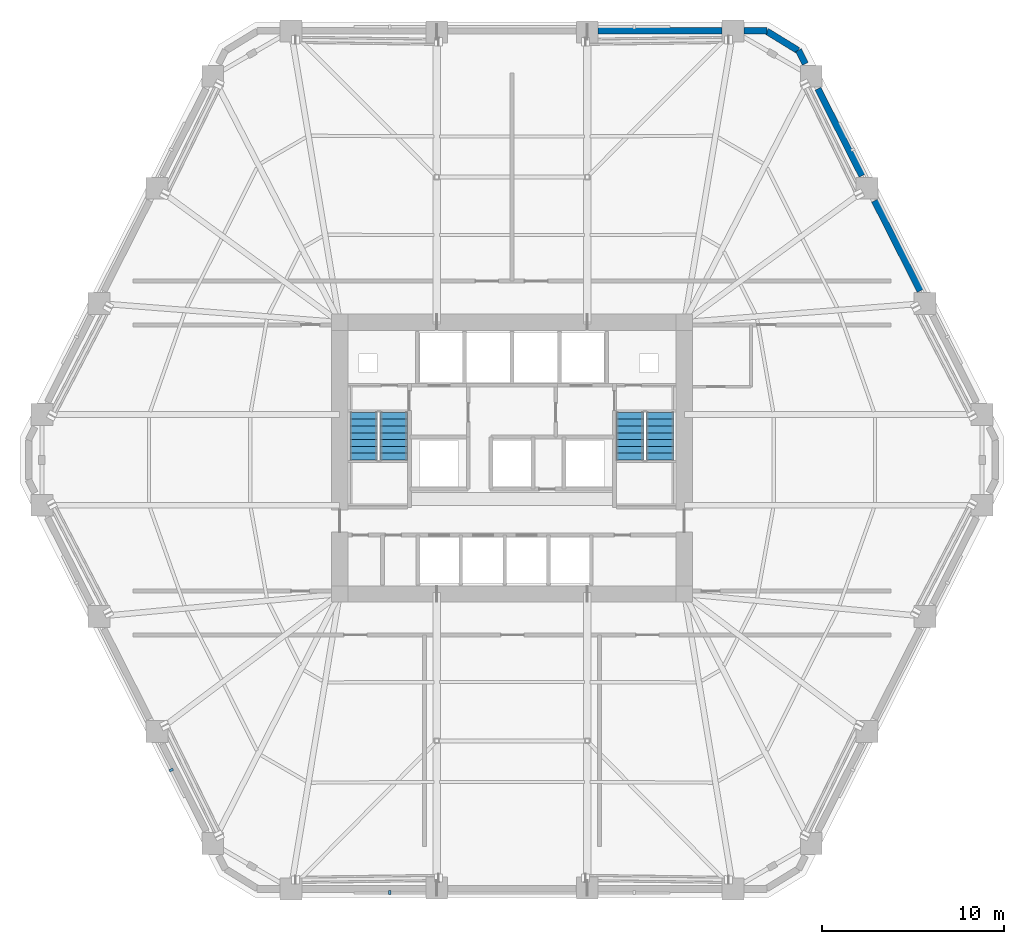
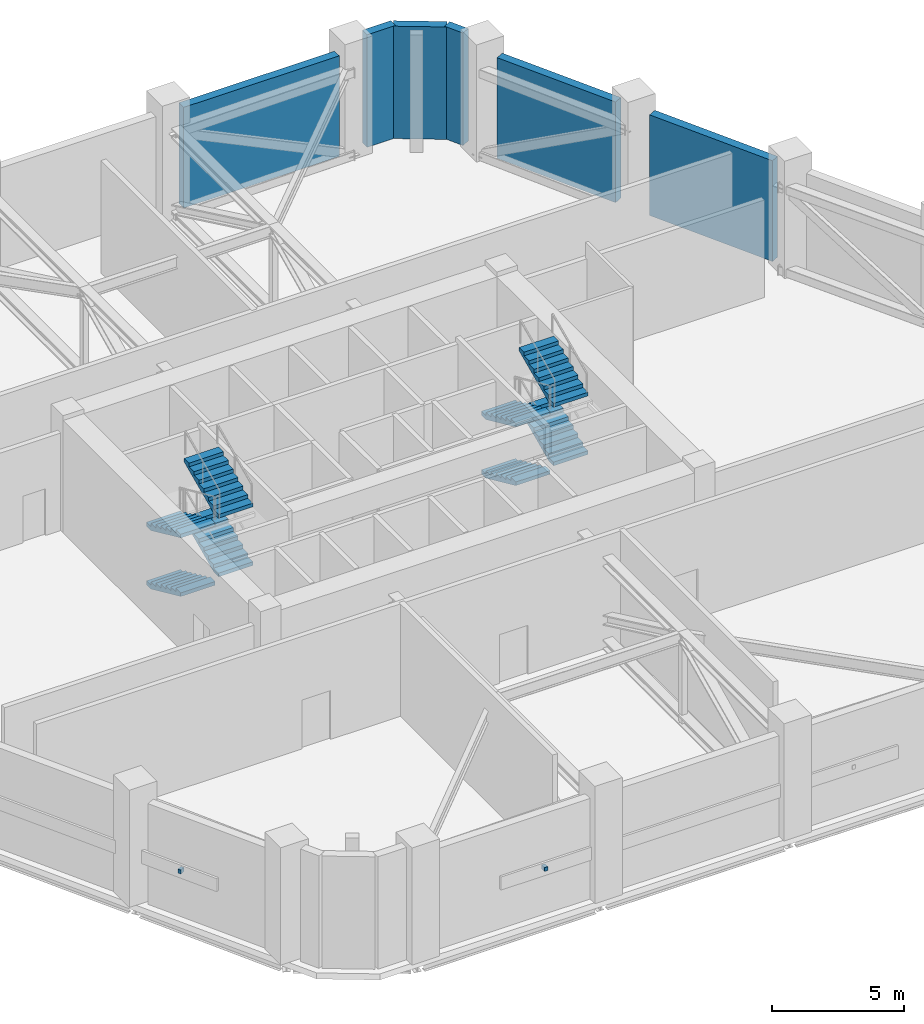
# One storey, part 13 of 19: 8 stair flights, 6 walls, 2 discrete accessories, 2 elements without a shape of their own.
"""IFC4 building model written with IfcOpenShell, lengths in metres."""

from ifc_helpers import new_model, si_unit, direction, frame, frame_2d, origin, origin_2d, place, context, subcontext, project, spatial, polyline, rectangle, outline, extrude, material, layer, layer_set, type_object, element, aggregate, save


model = new_model("IFC4")

# Units and contexts
model_context = context("Model", 3, precision=1e-05, world=origin(), true_north=direction((0.0, 1.0)))
body_context = subcontext(model_context, "Body", "Model", "MODEL_VIEW")
ifc_project = project(units=[si_unit("LENGTHUNIT", "METRE"), si_unit("AREAUNIT", "SQUARE_METRE"), si_unit("VOLUMEUNIT", "CUBIC_METRE"), si_unit("PLANEANGLEUNIT", "RADIAN"), si_unit("MASSUNIT", "GRAM", prefix="KILO")], contexts=[model_context])

# Site, building, storey
site_placement = place(None, origin())
site = spatial("IfcSite", under=ifc_project, at=site_placement, CompositionType="ELEMENT")
building_placement = place(site_placement, origin())
building = spatial("IfcBuilding", under=site, at=building_placement, Name="Cinnabar Lancet Tower", CompositionType="ELEMENT")
storey_placement = place(building_placement, frame((0.0, 0.0, 74.60009765625)))
storey = spatial("IfcBuildingStorey", under=building, at=storey_placement, Name="L19", CompositionType="ELEMENT", Elevation=74.60009765625)

# Walls
ifc_material_1 = material(Name="Dark charcoal engineering brick", Category="masonry")
ifc_layer = layer(ifc_material_1, 0.360107421875)
ifc_layer_set = layer_set([ifc_layer], Name="Dark charcoal engineering brick")
wall_type = type_object("IfcWallType", Name="ENV-WL-BRK-CHR-360", PredefinedType="STANDARD", material=ifc_layer_set)
wall_1_placement = place(storey_placement, frame((48.077880859375, 48.239990234375, 0.0), z_axis=(0.0, 0.0, 1.0), x_axis=(-0.852170276613, 0.52326457902, 0.0)))
element("IfcWall", 1, at=wall_1_placement, inside=storey, type_object=wall_type, Name="L19 Chamfered Corner Brick Pier 4.1", PredefinedType="STANDARD", context=body_context, shape_type="SweptSolid", body=[
    extrude(rectangle(XDim=2.01220703125, YDim=0.360107421875, at=frame_2d((1.006103515625, 0.0))), origin(), (0.0, 0.0, 1.0), 5.179931640625),
])
wall_2_placement = place(storey_placement, frame((54.77392578125, 35.06494140625, 0.0), z_axis=(0.0, 0.0, 1.0), x_axis=(-0.451458606243, 0.892292063648, 0.0)))
element("IfcWall", 2, at=wall_2_placement, inside=storey, type_object=wall_type, Name="L19 Face 3 Masonry Bay Wall 3", PredefinedType="STANDARD", context=body_context, shape_type="SweptSolid", body=[
    extrude(rectangle(XDim=5.53759765625, YDim=0.360107421875, at=frame_2d((2.768798828125, 0.0))), origin(), (0.0, 0.0, 1.0), 4.636962890625),
])
wall_3_placement = place(storey_placement, frame((51.5810546875, 41.3759765625, 0.0), z_axis=(0.0, 0.0, 1.0), x_axis=(-0.451559361714, 0.892241078884, 0.0)))
element("IfcWall", 3, at=wall_3_placement, inside=storey, type_object=wall_type, Name="L19 Face 3 Masonry Bay Wall 4", PredefinedType="STANDARD", context=body_context, shape_type="SweptSolid", body=[
    extrude(rectangle(XDim=5.341796875, YDim=0.360107421875, at=frame_2d((2.6708984375, 0.0))), origin(), (0.0, 0.0, 1.0), 4.636962890625),
])
wall_4_placement = place(storey_placement, frame((48.47607421875, 47.511962890625, 0.0), z_axis=(0.0, 0.0, 1.0), x_axis=(-0.451418764337, 0.892312220697, 0.0)))
element("IfcWall", 4, at=wall_4_placement, inside=storey, type_object=wall_type, Name="L19 Face 3 Masonry Bay Wall 5", PredefinedType="STANDARD", context=body_context, shape_type="SweptSolid", body=[
    extrude(rectangle(XDim=0.8349609375, YDim=0.360107421875, at=frame_2d((0.41748046875, 0.0))), origin(), (0.0, 0.0, 1.0), 5.179931640625),
])
wall_5_placement = place(storey_placement, frame((46.368896484375, 49.320068359375, 0.0), z_axis=(0.0, 0.0, 1.0), x_axis=(-1.0, 0.0, 0.0)))
element("IfcWall", 5, at=wall_5_placement, inside=storey, type_object=wall_type, Name="L19 Face 4 Masonry Bay Wall 1", PredefinedType="STANDARD", context=body_context, shape_type="SweptSolid", body=[
    extrude(rectangle(XDim=1.247802734375, YDim=0.360107421875, at=frame_2d((0.6240234375, 0.0))), origin(), (0.0, 0.0, 1.0), 5.179931640625),
])
wall_6_placement = place(storey_placement, frame((43.9130859375, 49.320068359375, 0.0), z_axis=(0.0, 0.0, 1.0), x_axis=(-1.0, 0.0, 0.0)))
element("IfcWall", 6, at=wall_6_placement, inside=storey, type_object=wall_type, Name="L19 Face 4 Masonry Bay Wall 2", PredefinedType="STANDARD", context=body_context, shape_type="SweptSolid", body=[
    extrude(rectangle(XDim=6.787109375, YDim=0.360107421875, at=frame_2d((3.3935546875, 0.0))), origin(), (0.0, 0.0, 1.0), 4.636962890625),
])

# Stair, stair flights
ifc_material_2 = material(Name="Concrete C40/50", Category="concrete")
stair_type = type_object("IfcStairType", Name="ST-CORE", PredefinedType="HALF_TURN_STAIR", material=ifc_material_2)
stair_1_placement = place(storey_placement, origin())
stair_1 = element("IfcStair", 7, at=stair_1_placement, inside=storey, type_object=stair_type, Name="L19 ST-1", PredefinedType="HALF_TURN_STAIR")
ifc_material_3 = material(Name="Concrete C40/50", Category="concrete")
stair_flight_type = type_object("IfcStairFlightType", Name="FLIGHT-CORE", PredefinedType="STRAIGHT", material=ifc_material_3)
stair_flight_1_placement = place(storey_placement, frame((24.27490234375, 28.39990234375, 0.0), z_axis=(0.0, 0.0, 1.0), x_axis=(0.0, -1.0, 0.0)))
stair_flight_1 = element("IfcStairFlight", 8, at=stair_flight_1_placement, type_object=stair_flight_type, Name="ST-1 flight 1", NumberOfRisers=8, NumberOfTreads=7, PredefinedType="STRAIGHT", RiserHeight=0.16875, TreadLength=0.3714, context=body_context, shape_type="SweptSolid", body=[
    extrude(outline(polyline([(0.0, 0.0), (0.0, 0.168701171875), (0.371337890625, 0.168701171875), (0.371337890625, 0.33740234375), (0.742919921875, 0.33740234375), (0.742919921875, 0.50634765625), (1.1142578125, 0.50634765625), (1.1142578125, 0.675048828125), (1.485595703125, 0.675048828125), (1.485595703125, 0.84375), (1.85693359375, 0.84375), (1.85693359375, 1.012451171875), (2.228515625, 1.012451171875), (2.228515625, 1.18115234375), (2.599853515625, 1.18115234375), (2.599853515625, 1.35009765625), (2.599853515625, 1.0166015625), (0.3623046875, 0.0), (0.0, 0.0)])), frame((0.0, 0.75, 0.0), z_axis=(0.0, -1.0, 0.0), x_axis=(1.0, 0.0, 0.0)), (0.0, 0.0, 1.0), 1.5),
])
stair_flight_2_placement = place(storey_placement, frame((25.925048828125, 25.80029296875, 1.349853515625), z_axis=(0.0, 0.0, 1.0), x_axis=(0.0, 1.0, 0.0)))
stair_flight_2 = element("IfcStairFlight", 9, at=stair_flight_2_placement, type_object=stair_flight_type, Name="ST-1 flight 2", NumberOfRisers=8, NumberOfTreads=7, PredefinedType="STRAIGHT", RiserHeight=0.16875, TreadLength=0.3714, context=body_context, shape_type="SweptSolid", body=[
    extrude(outline(polyline([(0.0, 0.0), (0.0, 0.168701171875), (0.371337890625, 0.168701171875), (0.371337890625, 0.33740234375), (0.742919921875, 0.33740234375), (0.742919921875, 0.50634765625), (1.1142578125, 0.50634765625), (1.1142578125, 0.675048828125), (1.485595703125, 0.675048828125), (1.485595703125, 0.84375), (1.85693359375, 0.84375), (1.85693359375, 1.012451171875), (2.228515625, 1.012451171875), (2.228515625, 1.18115234375), (2.599853515625, 1.18115234375), (2.599853515625, 1.35009765625), (2.599853515625, 1.0166015625), (0.3623046875, 0.0), (0.0, 0.0)])), frame((0.0, 0.75, 0.0), z_axis=(0.0, -1.0, 0.0), x_axis=(1.0, 0.0, 0.0)), (0.0, 0.0, 1.0), 1.5),
])
stair_flight_3_placement = place(storey_placement, frame((24.27490234375, 28.39990234375, 2.699951171875), z_axis=(0.0, 0.0, 1.0), x_axis=(0.0, -1.0, 0.0)))
stair_flight_3 = element("IfcStairFlight", 10, at=stair_flight_3_placement, type_object=stair_flight_type, Name="ST-1 flight 3", NumberOfRisers=8, NumberOfTreads=7, PredefinedType="STRAIGHT", RiserHeight=0.16875, TreadLength=0.3714, context=body_context, shape_type="SweptSolid", body=[
    extrude(outline(polyline([(0.0, 0.0), (0.0, 0.168701171875), (0.371337890625, 0.168701171875), (0.371337890625, 0.33740234375), (0.742919921875, 0.33740234375), (0.742919921875, 0.50634765625), (1.1142578125, 0.50634765625), (1.1142578125, 0.675048828125), (1.485595703125, 0.675048828125), (1.485595703125, 0.84375), (1.85693359375, 0.84375), (1.85693359375, 1.012451171875), (2.228515625, 1.012451171875), (2.228515625, 1.18115234375), (2.599853515625, 1.18115234375), (2.599853515625, 1.35009765625), (2.599853515625, 1.0166015625), (0.3623046875, 0.0), (0.0, 0.0)])), frame((0.0, 0.75, 0.0), z_axis=(0.0, -1.0, 0.0), x_axis=(1.0, 0.0, 0.0)), (0.0, 0.0, 1.0), 1.5),
])
stair_flight_4_placement = place(storey_placement, frame((25.925048828125, 25.80029296875, 4.0498046875), z_axis=(0.0, 0.0, 1.0), x_axis=(0.0, 1.0, 0.0)))
stair_flight_4 = element("IfcStairFlight", 11, at=stair_flight_4_placement, type_object=stair_flight_type, Name="ST-1 flight 4", NumberOfRisers=8, NumberOfTreads=7, PredefinedType="STRAIGHT", RiserHeight=0.16875, TreadLength=0.3714, context=body_context, shape_type="SweptSolid", body=[
    extrude(outline(polyline([(0.0, 0.0), (0.0, 0.168701171875), (0.371337890625, 0.168701171875), (0.371337890625, 0.33740234375), (0.742919921875, 0.33740234375), (0.742919921875, 0.50634765625), (1.1142578125, 0.50634765625), (1.1142578125, 0.675048828125), (1.485595703125, 0.675048828125), (1.485595703125, 0.84375), (1.85693359375, 0.84375), (1.85693359375, 1.012451171875), (2.228515625, 1.012451171875), (2.228515625, 1.18115234375), (2.599853515625, 1.18115234375), (2.599853515625, 1.35009765625), (2.599853515625, 1.0166015625), (0.3623046875, 0.0), (0.0, 0.0)])), frame((0.0, 0.75, 0.0), z_axis=(0.0, -1.0, 0.0), x_axis=(1.0, 0.0, 0.0)), (0.0, 0.0, 1.0), 1.5),
])
aggregate(stair_1, [stair_flight_1, stair_flight_2, stair_flight_3, stair_flight_4])

stair_2_placement = place(storey_placement, origin())
stair_2 = element("IfcStair", 12, at=stair_2_placement, inside=storey, type_object=stair_type, Name="L19 ST-2", PredefinedType="HALF_TURN_STAIR")
stair_flight_5_placement = place(storey_placement, frame((38.875, 28.39990234375, 0.0), z_axis=(0.0, 0.0, 1.0), x_axis=(0.0, -1.0, 0.0)))
stair_flight_5 = element("IfcStairFlight", 13, at=stair_flight_5_placement, type_object=stair_flight_type, Name="ST-2 flight 1", NumberOfRisers=8, NumberOfTreads=7, PredefinedType="STRAIGHT", RiserHeight=0.16875, TreadLength=0.3714, context=body_context, shape_type="SweptSolid", body=[
    extrude(outline(polyline([(0.0, 0.0), (0.0, 0.168701171875), (0.371337890625, 0.168701171875), (0.371337890625, 0.33740234375), (0.742919921875, 0.33740234375), (0.742919921875, 0.50634765625), (1.1142578125, 0.50634765625), (1.1142578125, 0.675048828125), (1.485595703125, 0.675048828125), (1.485595703125, 0.84375), (1.85693359375, 0.84375), (1.85693359375, 1.012451171875), (2.228515625, 1.012451171875), (2.228515625, 1.18115234375), (2.599853515625, 1.18115234375), (2.599853515625, 1.35009765625), (2.599853515625, 1.0166015625), (0.3623046875, 0.0), (0.0, 0.0)])), frame((0.0, 0.75, 0.0), z_axis=(0.0, -1.0, 0.0), x_axis=(1.0, 0.0, 0.0)), (0.0, 0.0, 1.0), 1.5),
])
stair_flight_6_placement = place(storey_placement, frame((40.52490234375, 25.80029296875, 1.349853515625), z_axis=(0.0, 0.0, 1.0), x_axis=(0.0, 1.0, 0.0)))
stair_flight_6 = element("IfcStairFlight", 14, at=stair_flight_6_placement, type_object=stair_flight_type, Name="ST-2 flight 2", NumberOfRisers=8, NumberOfTreads=7, PredefinedType="STRAIGHT", RiserHeight=0.16875, TreadLength=0.3714, context=body_context, shape_type="SweptSolid", body=[
    extrude(outline(polyline([(0.0, 0.0), (0.0, 0.168701171875), (0.371337890625, 0.168701171875), (0.371337890625, 0.33740234375), (0.742919921875, 0.33740234375), (0.742919921875, 0.50634765625), (1.1142578125, 0.50634765625), (1.1142578125, 0.675048828125), (1.485595703125, 0.675048828125), (1.485595703125, 0.84375), (1.85693359375, 0.84375), (1.85693359375, 1.012451171875), (2.228515625, 1.012451171875), (2.228515625, 1.18115234375), (2.599853515625, 1.18115234375), (2.599853515625, 1.35009765625), (2.599853515625, 1.0166015625), (0.3623046875, 0.0), (0.0, 0.0)])), frame((0.0, 0.75, 0.0), z_axis=(0.0, -1.0, 0.0), x_axis=(1.0, 0.0, 0.0)), (0.0, 0.0, 1.0), 1.5),
])
stair_flight_7_placement = place(storey_placement, frame((38.875, 28.39990234375, 2.699951171875), z_axis=(0.0, 0.0, 1.0), x_axis=(0.0, -1.0, 0.0)))
stair_flight_7 = element("IfcStairFlight", 15, at=stair_flight_7_placement, type_object=stair_flight_type, Name="ST-2 flight 3", NumberOfRisers=8, NumberOfTreads=7, PredefinedType="STRAIGHT", RiserHeight=0.16875, TreadLength=0.3714, context=body_context, shape_type="SweptSolid", body=[
    extrude(outline(polyline([(0.0, 0.0), (0.0, 0.168701171875), (0.371337890625, 0.168701171875), (0.371337890625, 0.33740234375), (0.742919921875, 0.33740234375), (0.742919921875, 0.50634765625), (1.1142578125, 0.50634765625), (1.1142578125, 0.675048828125), (1.485595703125, 0.675048828125), (1.485595703125, 0.84375), (1.85693359375, 0.84375), (1.85693359375, 1.012451171875), (2.228515625, 1.012451171875), (2.228515625, 1.18115234375), (2.599853515625, 1.18115234375), (2.599853515625, 1.35009765625), (2.599853515625, 1.0166015625), (0.3623046875, 0.0), (0.0, 0.0)])), frame((0.0, 0.75, 0.0), z_axis=(0.0, -1.0, 0.0), x_axis=(1.0, 0.0, 0.0)), (0.0, 0.0, 1.0), 1.5),
])
stair_flight_8_placement = place(storey_placement, frame((40.52490234375, 25.80029296875, 4.0498046875), z_axis=(0.0, 0.0, 1.0), x_axis=(0.0, 1.0, 0.0)))
stair_flight_8 = element("IfcStairFlight", 16, at=stair_flight_8_placement, type_object=stair_flight_type, Name="ST-2 flight 4", NumberOfRisers=8, NumberOfTreads=7, PredefinedType="STRAIGHT", RiserHeight=0.16875, TreadLength=0.3714, context=body_context, shape_type="SweptSolid", body=[
    extrude(outline(polyline([(0.0, 0.0), (0.0, 0.168701171875), (0.371337890625, 0.168701171875), (0.371337890625, 0.33740234375), (0.742919921875, 0.33740234375), (0.742919921875, 0.50634765625), (1.1142578125, 0.50634765625), (1.1142578125, 0.675048828125), (1.485595703125, 0.675048828125), (1.485595703125, 0.84375), (1.85693359375, 0.84375), (1.85693359375, 1.012451171875), (2.228515625, 1.012451171875), (2.228515625, 1.18115234375), (2.599853515625, 1.18115234375), (2.599853515625, 1.35009765625), (2.599853515625, 1.0166015625), (0.3623046875, 0.0), (0.0, 0.0)])), frame((0.0, 0.75, 0.0), z_axis=(0.0, -1.0, 0.0), x_axis=(1.0, 0.0, 0.0)), (0.0, 0.0, 1.0), 1.5),
])
aggregate(stair_2, [stair_flight_5, stair_flight_6, stair_flight_7, stair_flight_8])

# Discrete accessories
ifc_material_4 = material(Name="Stainless steel 316 facade fixing bracket", Category="steel")
discrete_accessory_type = type_object("IfcDiscreteAccessoryType", Name="ENV-ACC-BRK-180", PredefinedType="BRACKET", material=ifc_material_4)
for number, where, z_axis, x_axis, name in (
    (17, (25.695068359375, 2.0849609375, 2.06005859375), (0.0, 0.0, 1.0), (1.0, 0.0, 0.0), "L19 Face 1 Louvre Fixing Bracket A"),
    (18, (13.719970703125, 8.802978515625, 2.06005859375), (0.0, 0.0, 1.0), (0.451469426816, -0.892286588855, 0.0), "L19 Face 6 Louvre Fixing Bracket B"),
):
    element("IfcDiscreteAccessory", number, at=place(storey_placement, frame(where, z_axis=z_axis, x_axis=x_axis)), inside=storey, type_object=discrete_accessory_type, Name=name, PredefinedType="BRACKET", context=body_context, shape_type="SweptSolid", body=[
        extrude(rectangle(XDim=0.139892578125, YDim=0.219970703125, at=origin_2d()), origin(), (0.0, 0.0, 1.0), 0.179931640625),
    ])

save(model, "model.ifc")
